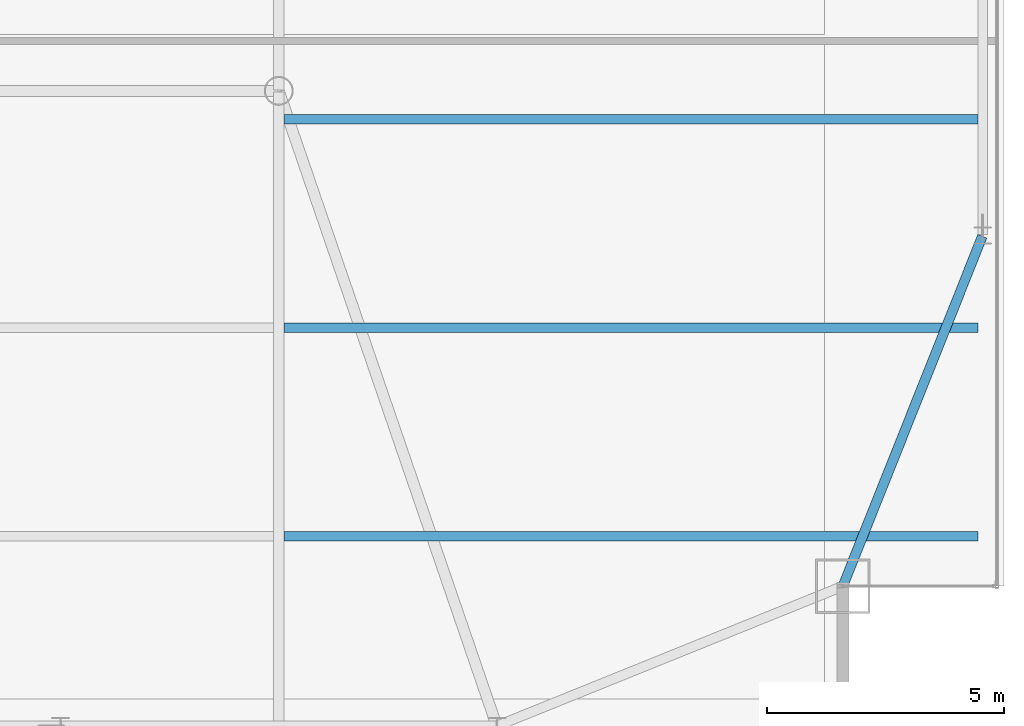
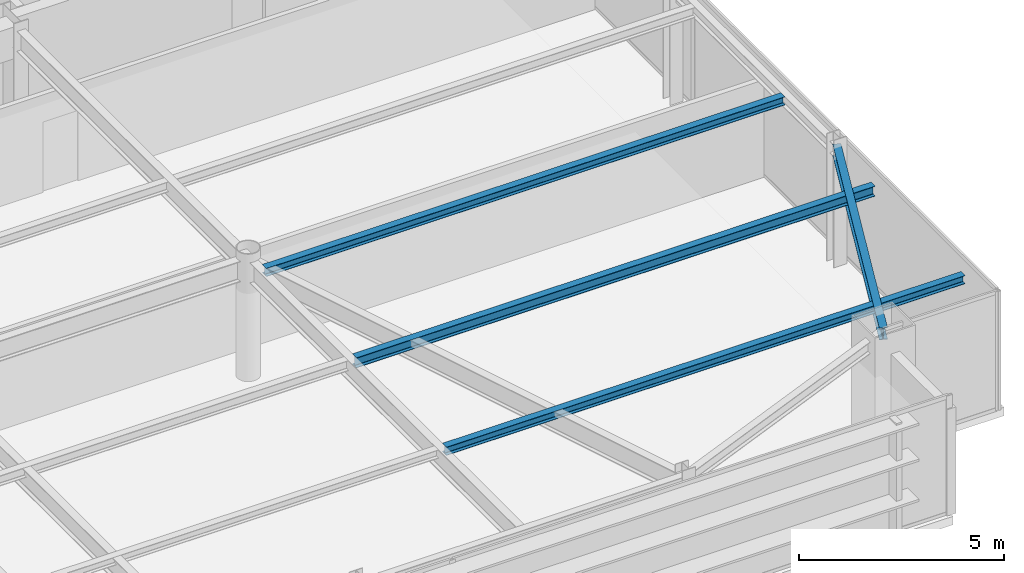
# One storey, part 12 of 25: 4 beams.
"""IFC4 building model written with IfcOpenShell, lengths in metres."""

from ifc_helpers import new_model, si_unit, direction, frame, origin, origin_2d, place, context, subcontext, project, spatial, i_section, extrude, source, transform, mapped, material, material_profile, profile_set, type_object, type_shapes, element, save


model = new_model("IFC4")

# Units and contexts
model_context = context("Model", 3, precision=1e-05, world=origin(), true_north=direction((0.0, 1.0)))
body_context = subcontext(model_context, "Body", "Model", "MODEL_VIEW")
ifc_project = project(units=[si_unit("LENGTHUNIT", "METRE"), si_unit("AREAUNIT", "SQUARE_METRE"), si_unit("VOLUMEUNIT", "CUBIC_METRE"), si_unit("PLANEANGLEUNIT", "RADIAN"), si_unit("MASSUNIT", "GRAM", prefix="KILO")], contexts=[model_context])

# Site, building, storey
site_placement = place(None, origin())
site = spatial("IfcSite", under=ifc_project, at=site_placement, CompositionType="ELEMENT")
building_placement = place(site_placement, origin())
building = spatial("IfcBuilding", under=site, at=building_placement, Name="Varnel Quay Broadcast Tower", CompositionType="ELEMENT")
storey_placement = place(building_placement, frame((0.0, 0.0, 250.800048828125)))
storey = spatial("IfcBuildingStorey", under=building, at=storey_placement, Name="L62", CompositionType="ELEMENT", Elevation=250.800048828125)

# Beams
ifc_material = material(Name="Structural Steel CSA G40.21 350W", Category="steel")
ifc_material_profile_1 = material_profile(ifc_material, i_section(OverallWidth=0.205078125, OverallDepth=0.35400390625, WebThickness=0.009521484375, FlangeThickness=0.016845703125, FilletRadius=0.012939453125, at=origin_2d()), Name="W360X79")
ifc_profile_set_1 = profile_set([ifc_material_profile_1], Name="Structural Steel CSA G40.21 350W")
beam_type_1 = type_object("IfcBeamType", Name="Beam_W360X79", PredefinedType="SPANDREL", material=ifc_profile_set_1)
shared_shape_1 = source(origin(), body_context, "Body", "SweptSolid", [
    extrude(i_section(OverallWidth=0.205078125, OverallDepth=0.35400390625, WebThickness=0.009521484375, FlangeThickness=0.016845703125, FilletRadius=0.012939453125, at=origin_2d()), origin(), (0.0, 0.0, 1.0), 7.92626953125),
])
type_shapes(beam_type_1, [shared_shape_1])
beam_1_placement = place(storey_placement, frame((55.107421875, 13.61865234375, 3.373046875), z_axis=(0.370296431883, 0.928913641053, 0.0), x_axis=(-0.928913641053, 0.370296431883, 0.0)))
element("IfcBeam", 1, at=beam_1_placement, inside=storey, type_object=beam_type_1, Name="L62 East Spandrel MC-SE-TC-E1", PredefinedType="SPANDREL", context=body_context, shape_type="MappedRepresentation", body=[
    mapped(shared_shape_1, transform((0.0, 0.0, 0.0), x_axis=(1.0, 0.0, 0.0), y_axis=(0.0, 1.0, 0.0), z_axis=(0.0, 0.0, 1.0), scale=1.0)),
])
ifc_material_profile_2 = material_profile(ifc_material, i_section(OverallWidth=0.201904296875, OverallDepth=0.2470703125, WebThickness=0.00732421875, FlangeThickness=0.010986328125, FilletRadius=0.010986328125, at=origin_2d()), Name="W250X49")
ifc_profile_set_2 = profile_set([ifc_material_profile_2], Name="Structural Steel CSA G40.21 350W")
beam_type_2 = type_object("IfcBeamType", Name="Beam_W250X49", PredefinedType="JOIST", material=ifc_profile_set_2)
shared_shape_2 = source(origin(), body_context, "Body", "SweptSolid", [
    extrude(i_section(OverallWidth=0.201904296875, OverallDepth=0.2470703125, WebThickness=0.00732421875, FlangeThickness=0.010986328125, FilletRadius=0.010986328125, at=origin_2d()), origin(), (0.0, 0.0, 1.0), 14.642333984375),
])
type_shapes(beam_type_2, [shared_shape_2])
for number, where, z_axis, x_axis, name in (
    (2, (43.31005859375, 14.64990234375, 3.426513671875), (1.0, 0.0, 0.0), (0.0, 1.0, 0.0), "L62 East Floor Joist 1"),
    (3, (43.31005859375, 23.449951171875, 3.426513671875), (1.0, 0.0, 0.0), (0.0, 1.0, 0.0), "L62 East Floor Joist 3"),
):
    element("IfcBeam", number, at=place(storey_placement, frame(where, z_axis=z_axis, x_axis=x_axis)), inside=storey, type_object=beam_type_2, Name=name, PredefinedType="JOIST", context=body_context, shape_type="MappedRepresentation", body=[
        mapped(shared_shape_2, transform((0.0, 0.0, 0.0), x_axis=(1.0, 0.0, 0.0), y_axis=(0.0, 1.0, 0.0), z_axis=(0.0, 0.0, 1.0), scale=1.0)),
    ])
ifc_material_profile_3 = material_profile(ifc_material, i_section(OverallWidth=0.202880859375, OverallDepth=0.302978515625, WebThickness=0.007568359375, FlangeThickness=0.01318359375, FilletRadius=0.011962890625, at=origin_2d()), Name="W310X60")
ifc_profile_set_3 = profile_set([ifc_material_profile_3], Name="Structural Steel CSA G40.21 350W")
beam_type_3 = type_object("IfcBeamType", Name="Beam_W310X60", PredefinedType="JOIST", material=ifc_profile_set_3)
shared_shape_3 = source(origin(), body_context, "Body", "SweptSolid", [
    extrude(i_section(OverallWidth=0.202880859375, OverallDepth=0.302978515625, WebThickness=0.007568359375, FlangeThickness=0.01318359375, FilletRadius=0.011962890625, at=origin_2d()), origin(), (0.0, 0.0, 1.0), 14.642333984375),
])
type_shapes(beam_type_3, [shared_shape_3])
beam_2_placement = place(storey_placement, frame((43.31005859375, 19.050048828125, 3.3984375), z_axis=(1.0, 0.0, 0.0), x_axis=(0.0, 1.0, 0.0)))
element("IfcBeam", 4, at=beam_2_placement, inside=storey, type_object=beam_type_3, Name="L62 East Floor Joist 2", PredefinedType="JOIST", context=body_context, shape_type="MappedRepresentation", body=[
    mapped(shared_shape_3, transform((0.0, 0.0, 0.0), x_axis=(1.0, 0.0, 0.0), y_axis=(0.0, 1.0, 0.0), z_axis=(0.0, 0.0, 1.0), scale=1.0)),
])

save(model, "model.ifc")
